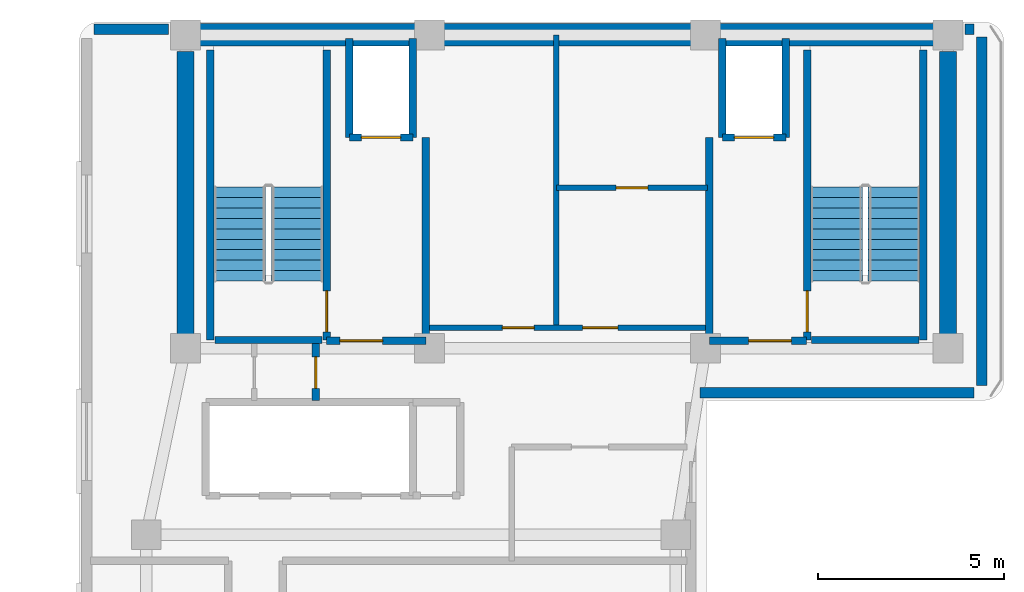
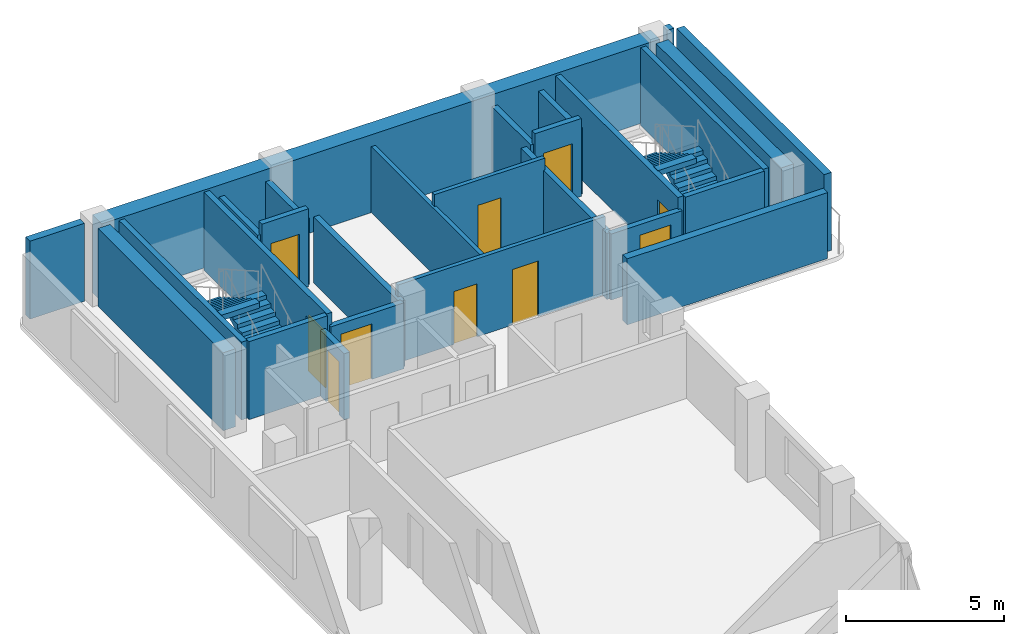
# One storey, part 3 of 5: 27 walls, 10 doors, 4 stair flights, 10 openings, 2 elements without a shape of their own.
"""IFC4 building model written with IfcOpenShell, lengths in metres."""

import ifcopenshell
import ifcopenshell.guid

model = None  # the IFC model being written
_history = None  # IfcOwnerHistory: only IFC2X3 demands one
_inside = {}  # id of a spatial element -> (the spatial element, [elements in it])
_under = {}  # id of a project, library or spatial element -> (it, [spatial elements below it])
_declared = {}  # id of a project -> (the project, [libraries it declares])
_typed = {}  # id of a type object -> (the type object, [elements of that type])
_made_of = {}  # id of a material, layer set ... -> (it, [elements and type objects made of it])


def new_model(schema):
    """Start an empty IFC model of exactly this schema.

    Asked for "IFC4X3", IfcOpenShell would pick the latest addendum, in which some entities
    have other attributes; the version numbers below select the first issue.
    IFC2X3 requires an IfcOwnerHistory on every rooted entity: one is made here for all.
    """
    global model, _history
    if schema == "IFC4X3":
        model = ifcopenshell.file(schema_version=(4, 3, 0, 0))
    else:
        model = ifcopenshell.file(schema=schema)
    _inside.clear()
    _under.clear()
    _declared.clear()
    _typed.clear()
    _made_of.clear()
    _history = None
    if model.schema == "IFC2X3":
        org = make("IfcOrganization", Name="unknown")
        user = make(
            "IfcPersonAndOrganization",
            ThePerson=make("IfcPerson", FamilyName="unknown"),
            TheOrganization=org,
        )
        app = make(
            "IfcApplication",
            ApplicationDeveloper=org,
            Version="unknown",
            ApplicationFullName="unknown",
            ApplicationIdentifier="unknown",
        )
        _history = make(
            "IfcOwnerHistory",
            OwningUser=user,
            OwningApplication=app,
            ChangeAction="ADDED",
            CreationDate=0,
        )
    return model


def make(cls, **values):
    """One entity of the class cls with the attributes given. An attribute that is None is left unset."""
    return model.create_entity(
        cls, **{name: value for name, value in values.items() if value is not None}
    )


def rooted(cls, **values):
    """An entity with a GlobalId (a new one), such as an element, a storey or a relation."""
    return make(cls, GlobalId=ifcopenshell.guid.new(), OwnerHistory=_history, **values)


def si_unit(unit_type, name, prefix=None):
    """IfcSIUnit, for example si_unit("LENGTHUNIT", "METRE", prefix="MILLI")."""
    return make("IfcSIUnit", UnitType=unit_type, Prefix=prefix, Name=name)


def assignment(units):
    """IfcUnitAssignment: the units of a project."""
    return None if units is None else make("IfcUnitAssignment", Units=units)


def point(xyz):
    """IfcCartesianPoint."""
    return None if xyz is None else make("IfcCartesianPoint", Coordinates=xyz)


def direction(xyz):
    """IfcDirection."""
    return None if xyz is None else make("IfcDirection", DirectionRatios=xyz)


def frame(location, z_axis=None, x_axis=None):
    """IfcAxis2Placement3D, a coordinate frame: its origin and axes. An axis left out is left unset."""
    return make(
        "IfcAxis2Placement3D",
        Location=point(location),
        Axis=direction(z_axis),
        RefDirection=direction(x_axis),
    )


def frame_2d(location, x_axis=None):
    """IfcAxis2Placement2D, a coordinate frame in the plane: its origin and x axis."""
    return make(
        "IfcAxis2Placement2D", Location=point(location), RefDirection=direction(x_axis)
    )


def origin():
    """The frame at (0, 0, 0) with its axes left unset."""
    return frame((0.0, 0.0, 0.0))


def place(relative_to, where):
    """IfcLocalPlacement: puts the frame where relative to a parent placement (None: the world)."""
    return make(
        "IfcLocalPlacement", PlacementRelTo=relative_to, RelativePlacement=where
    )


def context(
    kind, dimensions, precision=None, world=None, true_north=None, identifier=None
):
    """IfcGeometricRepresentationContext, for example the 3D "Model" context."""
    return make(
        "IfcGeometricRepresentationContext",
        ContextIdentifier=identifier,
        ContextType=kind,
        CoordinateSpaceDimension=dimensions,
        Precision=precision,
        WorldCoordinateSystem=world,
        TrueNorth=true_north,
    )


def subcontext(parent, identifier, kind, view, scale=None):
    """IfcGeometricRepresentationSubContext, for example "Body" below "Model"."""
    return make(
        "IfcGeometricRepresentationSubContext",
        ContextIdentifier=identifier,
        ContextType=kind,
        ParentContext=parent,
        TargetScale=scale,
        TargetView=view,
    )


def project(units=None, contexts=None):
    """IfcProject with its units and contexts."""
    return rooted(
        "IfcProject",
        Name="project",
        RepresentationContexts=contexts,
        UnitsInContext=assignment(units),
    )


def spatial(cls, under=None, at=None, **own):
    """A site, building, storey or space (cls), placed at a placement, below another one or the project."""
    s = rooted(cls, ObjectPlacement=at, **own)
    if under is not None:
        _under.setdefault(under.id(), (under, []))[1].append(s)
    return s


def polyline(points):
    """IfcPolyline through the points."""
    return make("IfcPolyline", Points=[point(p) for p in points])


def profile(cls, at=None, kind="AREA", **sizes):
    """A parametric profile (cls). Its sizes go by their IFC names, for example OverallWidth=200.0."""
    return make(cls, ProfileType=kind, Position=at, **sizes)


def rectangle(**sizes):
    """IfcRectangleProfileDef."""
    return profile("IfcRectangleProfileDef", **sizes)


def outline(outer, holes=None, kind="AREA"):
    """IfcArbitraryClosedProfileDef: a profile drawn as a closed curve; with holes, ...WithVoids."""
    if holes is None:
        return make("IfcArbitraryClosedProfileDef", ProfileType=kind, OuterCurve=outer)
    return make(
        "IfcArbitraryProfileDefWithVoids",
        ProfileType=kind,
        OuterCurve=outer,
        InnerCurves=holes,
    )


def extrude(swept, where, along, depth):
    """IfcExtrudedAreaSolid: the profile swept, set in the frame where, extruded along a direction by depth."""
    return make(
        "IfcExtrudedAreaSolid",
        SweptArea=swept,
        Position=where,
        ExtrudedDirection=direction(along),
        Depth=depth,
    )


def shape(context_of_items, identifier, shape_type, items):
    """IfcShapeRepresentation: the items that make up one representation, for example the "Body"."""
    return make(
        "IfcShapeRepresentation",
        ContextOfItems=context_of_items,
        RepresentationIdentifier=identifier,
        RepresentationType=shape_type,
        Items=items,
    )


def material(Name=None, Category=None):
    """IfcMaterial."""
    return make("IfcMaterial", Name=Name, Category=Category)


def layer(
    of_material, thickness, ventilated=None, Name=None, Category=None, Priority=None
):
    """IfcMaterialLayer: one layer of a wall or slab, of a material (None: an air gap)."""
    return make(
        "IfcMaterialLayer",
        Material=of_material,
        LayerThickness=thickness,
        IsVentilated=ventilated,
        Name=Name,
        Category=Category,
        Priority=Priority,
    )


def layer_set(layers, Name=None):
    """IfcMaterialLayerSet."""
    return make("IfcMaterialLayerSet", MaterialLayers=layers, LayerSetName=Name)


def made_of(thing, what):
    """Note that an element or type object is made of a material, layer set ...; save() writes the relation."""
    if what is not None:
        _made_of.setdefault(what.id(), (what, []))[1].append(thing)
    return thing


def type_object(cls, material=None, **own):
    """A type object (cls), such as IfcWallType, which elements share."""
    return made_of(rooted(cls, **own), material)


def element(
    cls,
    number,
    at=None,
    inside=None,
    cuts=None,
    type_object=None,
    material=None,
    context=None,
    identifier="Body",
    shape_type=None,
    held_by="IfcProductDefinitionShape",
    body=None,
    shapes=None,
    **own,
):
    """One element of the class cls, such as IfcWall. Its Tag is "e" and its number.

    at: its placement. inside: the storey or other place that contains it. cuts: it is an
    opening in that element (IfcRelVoidsElement). A single representation is given by context,
    identifier, shape_type and body (its items); several are given by shapes. held_by: the class
    of the entity that holds the representations. save() writes the other relations.
    """
    e = rooted(cls, Tag="e%d" % number, ObjectPlacement=at, **own)
    if body is not None:
        shapes = [shape(context, identifier, shape_type, body)]
    if shapes is not None:
        e.Representation = make(held_by, Representations=shapes)
    if inside is not None:
        _inside.setdefault(inside.id(), (inside, []))[1].append(e)
    if cuts is not None:
        rooted(
            "IfcRelVoidsElement", RelatingBuildingElement=cuts, RelatedOpeningElement=e
        )
    if type_object is not None:
        _typed.setdefault(type_object.id(), (type_object, []))[1].append(e)
    return made_of(e, material)


def fill(opening, filler):
    """IfcRelFillsElement: the door or window that sits in an opening."""
    return rooted(
        "IfcRelFillsElement",
        RelatingOpeningElement=opening,
        RelatedBuildingElement=filler,
    )


def aggregate(whole, parts):
    """IfcRelAggregates: a whole, such as a stair, and the parts it consists of."""
    return rooted("IfcRelAggregates", RelatingObject=whole, RelatedObjects=parts)


def save(model, path):
    """Write the relations noted so far, then the file.

    IfcRelAggregates (storeys below a building ...), IfcRelContainedInSpatialStructure (elements
    in a storey), IfcRelDefinesByType, IfcRelAssociatesMaterial and IfcRelDeclares: one each for
    every whole, place, type object, material and project.
    """
    for whole, parts in _under.values():
        aggregate(whole, parts)
    for where, things in _inside.values():
        rooted(
            "IfcRelContainedInSpatialStructure",
            RelatedElements=things,
            RelatingStructure=where,
        )
    for kind, things in _typed.values():
        rooted("IfcRelDefinesByType", RelatedObjects=things, RelatingType=kind)
    for what, things in _made_of.values():
        rooted("IfcRelAssociatesMaterial", RelatedObjects=things, RelatingMaterial=what)
    for by, libraries in _declared.values():
        rooted("IfcRelDeclares", RelatingContext=by, RelatedDefinitions=libraries)
    model.write(path)


model = new_model("IFC4")

# Units and contexts
model_context = context("Model", 3, precision=1e-05, world=origin(), true_north=direction((0.0, 1.0)))
body_context = subcontext(model_context, "Body", "Model", "MODEL_VIEW")
ifc_project = project(units=[si_unit("LENGTHUNIT", "METRE"), si_unit("AREAUNIT", "SQUARE_METRE"), si_unit("VOLUMEUNIT", "CUBIC_METRE"), si_unit("PLANEANGLEUNIT", "RADIAN"), si_unit("MASSUNIT", "GRAM", prefix="KILO")], contexts=[model_context])

# Site, building, storey
site_placement = place(None, origin())
site = spatial("IfcSite", under=ifc_project, at=site_placement, CompositionType="ELEMENT")
building_placement = place(site_placement, origin())
building = spatial("IfcBuilding", under=site, at=building_placement, Name="Kuzgunbayir Cultural Tower", CompositionType="ELEMENT")
storey_placement = place(building_placement, frame((0.0, 0.0, 231.199951171875)))
storey = spatial("IfcBuildingStorey", under=building, at=storey_placement, Name="L68", CompositionType="ELEMENT", Elevation=231.199951171875)

# Walls
ifc_material_1 = material(Name="Concrete C50/60", Category="concrete")
ifc_layer_1 = layer(ifc_material_1, 0.449951171875)
ifc_layer_set_1 = layer_set([ifc_layer_1], Name="Concrete C50/60")
wall_type_1 = type_object("IfcWallType", Name="WAL-CORE-450", PredefinedType="SHEAR", material=ifc_layer_set_1)
for number, where, z_axis, x_axis, name in (
    (1, (6.449951171875, 33.800048828125, 0.0), (0.0, 0.0, 1.0), (0.0, 1.0, 0.0), "L68 T1 Core West Shear Wall"),
    (2, (26.89990234375, 33.800048828125, 0.0), (0.0, 0.0, 1.0), (0.0, 1.0, 0.0), "L68 T1 Core East Shear Wall"),
):
    element("IfcWall", number, at=place(storey_placement, frame(where, z_axis=z_axis, x_axis=x_axis)), inside=storey, type_object=wall_type_1, Name=name, PredefinedType="SHEAR", context=body_context, shape_type="SweptSolid", body=[
        extrude(rectangle(XDim=7.949951171875, YDim=0.449951171875, at=frame_2d((3.97509765625, 0.0))), origin(), (0.0, 0.0, 1.0), 3.02001953125),
    ])
ifc_material_2 = material(Name="Concrete C60/75", Category="concrete")
ifc_layer_2 = layer(ifc_material_2, 0.60009765625)
ifc_layer_set_2 = layer_set([ifc_layer_2], Name="Concrete C60/75")
wall_type_2 = type_object("IfcWallType", Name="WAL-CORE-600", PredefinedType="SHEAR", material=ifc_layer_set_2)
wall_1_placement = place(storey_placement, frame((6.449951171875, 42.199951171875, 0.0), z_axis=(0.0, 0.0, 1.0), x_axis=(1.0, 0.0, 0.0)))
element("IfcWall", 3, at=wall_1_placement, inside=storey, type_object=wall_type_2, Name="L68 T1 Core North Shear Wall", PredefinedType="SHEAR", context=body_context, shape_type="SweptSolid", body=[
    extrude(rectangle(XDim=20.449951171875, YDim=0.60009765625, at=frame_2d((10.22509765625, 0.0))), origin(), (0.0, 0.0, 1.0), 3.02001953125),
])
ifc_material_3 = material(Name="Anatolian Cream Limestone", Category="masonry")
ifc_layer_3 = layer(ifc_material_3, 0.280029296875)
ifc_layer_set_3 = layer_set([ifc_layer_3], Name="Anatolian Cream Limestone")
wall_type_3 = type_object("IfcWallType", Name="WAL-EXT-STONE-280", PredefinedType="STANDARD", material=ifc_layer_set_3)
wall_2_placement = place(storey_placement, frame((27.60009765625, 42.35009765625, 0.0), z_axis=(0.0, 0.0, 1.0), x_axis=(-1.0, 0.0, 0.0)))
element("IfcWall", 4, at=wall_2_placement, inside=storey, type_object=wall_type_3, Name="L68 North Wing B Limestone Wall", PredefinedType="STANDARD", context=body_context, shape_type="SweptSolid", body=[
    extrude(rectangle(XDim=0.25, YDim=0.280029296875, at=frame_2d((0.125, 0.0))), origin(), (0.0, 0.0, 1.0), 3.02001953125),
])
wall_3_placement = place(storey_placement, frame((6.0, 42.35009765625, 0.0), z_axis=(0.0, 0.0, 1.0), x_axis=(-1.0, 0.0, 0.0)))
element("IfcWall", 5, at=wall_3_placement, inside=storey, type_object=wall_type_3, Name="L68 Core North-West Spandrel Link", PredefinedType="STANDARD", context=body_context, shape_type="SweptSolid", body=[
    extrude(rectangle(XDim=2.0, YDim=0.280029296875, at=frame_2d((1.0, 0.0))), origin(), (0.0, 0.0, 1.0), 3.02001953125),
])
wall_4_placement = place(storey_placement, frame((27.800048828125, 32.800048828125, 0.0), z_axis=(0.0, 0.0, 1.0), x_axis=(0.0, 1.0, 0.0)))
element("IfcWall", 6, at=wall_4_placement, inside=storey, type_object=wall_type_3, Name="L68 Rear Core East Limestone Wall", PredefinedType="STANDARD", context=body_context, shape_type="SweptSolid", body=[
    extrude(rectangle(XDim=9.349853515625, YDim=0.280029296875, at=frame_2d((4.6748046875, 0.0))), origin(), (0.0, 0.0, 1.0), 3.02001953125),
])
wall_5_placement = place(storey_placement, frame((20.25, 32.60009765625, 0.0), z_axis=(0.0, 0.0, 1.0), x_axis=(1.0, 0.0, 0.0)))
element("IfcWall", 7, at=wall_5_placement, inside=storey, type_object=wall_type_3, Name="L68 Core South Soffit Wall", PredefinedType="STANDARD", context=body_context, shape_type="SweptSolid", body=[
    extrude(rectangle(XDim=7.35009765625, YDim=0.280029296875, at=frame_2d((3.675048828125, 0.0))), origin(), (0.0, 0.0, 1.0), 2.56005859375),
])

# Wall, openings, doors
ifc_material_4 = material(Name="Acoustic Double-Stud Drywall", Category="gypsum")
ifc_layer_4 = layer(ifc_material_4, 0.14990234375)
ifc_layer_set_4 = layer_set([ifc_layer_4], Name="Acoustic Double-Stud Drywall")
wall_type_4 = type_object("IfcWallType", Name="WAL-PART-ACOUSTIC-150", PredefinedType="PARTITIONING", material=ifc_layer_set_4)
wall_6_placement = place(storey_placement, frame((12.89990234375, 34.35009765625, 0.0), z_axis=(0.0, 0.0, 1.0), x_axis=(1.0, 0.0, 0.0)))
wall_6 = element("IfcWall", 8, at=wall_6_placement, inside=storey, type_object=wall_type_4, Name="L68 Sky Core South Wall", PredefinedType="PARTITIONING", context=body_context, shape_type="SweptSolid", body=[
    extrude(rectangle(XDim=7.60009765625, YDim=0.14990234375, at=frame_2d((3.800048828125, 0.0))), origin(), (0.0, 0.0, 1.0), 3.02001953125),
])
opening_1_placement = place(wall_6_placement, frame((2.050048828125, 0.0, 0.0)))
opening_1 = element("IfcOpeningElement", 9, at=opening_1_placement, cuts=wall_6, Name="Opening DC-85", PredefinedType="OPENING", context=body_context, shape_type="SweptSolid", body=[
    extrude(rectangle(XDim=0.85009765625, YDim=2.050048828125, at=frame_2d((0.425048828125, 1.02490234375))), frame((0.0, 0.0849609375, 0.0), z_axis=(0.0, -1.0, 0.0), x_axis=(1.0, 0.0, 0.0)), (0.0, 0.0, 1.0), 0.169921875),
])
opening_2_placement = place(wall_6_placement, frame((4.199951171875, 0.0, 0.0)))
opening_2 = element("IfcOpeningElement", 10, at=opening_2_placement, cuts=wall_6, Name="Opening DC-95", PredefinedType="OPENING", context=body_context, shape_type="SweptSolid", body=[
    extrude(rectangle(XDim=0.949951171875, YDim=2.14990234375, at=frame_2d((0.47509765625, 1.074951171875))), frame((0.0, 0.0849609375, 0.0), z_axis=(0.0, -1.0, 0.0), x_axis=(1.0, 0.0, 0.0)), (0.0, 0.0, 1.0), 0.169921875),
])
ifc_material_5 = material(Name="Fire-Rated Veneered Oak Leaf", Category="wood")
door_type_1 = type_object("IfcDoorType", Name="DR-CORE-85", OperationType="NOTDEFINED", PredefinedType="DOOR", material=ifc_material_5)
door_1_placement = place(opening_1_placement, origin())
door_1 = element("IfcDoor", 11, at=door_1_placement, inside=storey, type_object=door_type_1, Name="L68 Study Pod Door", OperationType="SINGLE_SWING_RIGHT", OverallHeight=2.050048828125, OverallWidth=0.85009765625, PredefinedType="DOOR", context=body_context, shape_type="SweptSolid", body=[
    extrude(rectangle(XDim=0.85009765625, YDim=2.050048828125, at=frame_2d((0.425048828125, 1.02490234375))), frame((0.0, 0.02490234375, 0.0), z_axis=(0.0, -1.0, 0.0), x_axis=(1.0, 0.0, 0.0)), (0.0, 0.0, 1.0), 0.050048828125),
])
fill(opening_1, door_1)
door_type_2 = type_object("IfcDoorType", Name="DR-CORE-95", OperationType="NOTDEFINED", PredefinedType="DOOR", material=ifc_material_5)
door_2_placement = place(opening_2_placement, origin())
door_2 = element("IfcDoor", 12, at=door_2_placement, inside=storey, type_object=door_type_2, Name="L68 Tea Salon Door", OperationType="SINGLE_SWING_LEFT", OverallHeight=2.14990234375, OverallWidth=0.949951171875, PredefinedType="DOOR", context=body_context, shape_type="SweptSolid", body=[
    extrude(rectangle(XDim=0.949951171875, YDim=2.14990234375, at=frame_2d((0.47509765625, 1.074951171875))), frame((0.0, 0.02490234375, 0.0), z_axis=(0.0, -1.0, 0.0), x_axis=(1.0, 0.0, 0.0)), (0.0, 0.0, 1.0), 0.050048828125),
])
fill(opening_2, door_2)

# Wall
wall_7_placement = place(storey_placement, frame((16.39990234375, 34.35009765625, 0.0), z_axis=(0.0, 0.0, 1.0), x_axis=(0.0, 1.0, 0.0)))
element("IfcWall", 13, at=wall_7_placement, inside=storey, type_object=wall_type_4, Name="L68 Sky Core Tri-Wall 1", PredefinedType="PARTITIONING", context=body_context, shape_type="SweptSolid", body=[
    extrude(rectangle(XDim=7.849853515625, YDim=0.14990234375, at=frame_2d((3.9248046875, 0.0))), origin(), (0.0, 0.0, 1.0), 2.56005859375),
])

# Wall, opening, door
wall_8_placement = place(storey_placement, frame((16.39990234375, 38.10009765625, 0.0), z_axis=(0.0, 0.0, 1.0), x_axis=(1.0, 0.0, 0.0)))
wall_8 = element("IfcWall", 14, at=wall_8_placement, inside=storey, type_object=wall_type_4, Name="L68 Sky Core Mid Divider", PredefinedType="PARTITIONING", context=body_context, shape_type="SweptSolid", body=[
    extrude(rectangle(XDim=4.050048828125, YDim=0.14990234375, at=frame_2d((2.02490234375, 0.0))), origin(), (0.0, 0.0, 1.0), 3.02001953125),
])
opening_3_placement = place(wall_8_placement, frame((1.60009765625, 0.0, 0.0)))
opening_3 = element("IfcOpeningElement", 15, at=opening_3_placement, cuts=wall_8, Name="Opening DC-85", PredefinedType="OPENING", context=body_context, shape_type="SweptSolid", body=[
    extrude(rectangle(XDim=0.85009765625, YDim=2.050048828125, at=frame_2d((0.425048828125, 1.02490234375))), frame((0.0, 0.0849609375, 0.0), z_axis=(0.0, -1.0, 0.0), x_axis=(1.0, 0.0, 0.0)), (0.0, 0.0, 1.0), 0.169921875),
])
door_3_placement = place(opening_3_placement, origin())
door_3 = element("IfcDoor", 16, at=door_3_placement, inside=storey, type_object=door_type_1, Name="L68 Meditation Room Door", OperationType="SINGLE_SWING_RIGHT", OverallHeight=2.050048828125, OverallWidth=0.85009765625, PredefinedType="DOOR", context=body_context, shape_type="SweptSolid", body=[
    extrude(rectangle(XDim=0.85009765625, YDim=2.050048828125, at=frame_2d((0.425048828125, 1.02490234375))), frame((0.0, 0.02490234375, 0.0), z_axis=(0.0, -1.0, 0.0), x_axis=(1.0, 0.0, 0.0)), (0.0, 0.0, 1.0), 0.050048828125),
])
fill(opening_3, door_3)

# Wall
ifc_material_6 = material(Name="Aerated Concrete Blockwork", Category="masonry")
ifc_layer_5 = layer(ifc_material_6, 0.199951171875)
ifc_layer_set_5 = layer_set([ifc_layer_5], Name="Aerated Concrete Blockwork")
wall_type_5 = type_object("IfcWallType", Name="WAL-PART-FIRE-200", PredefinedType="PARTITIONING", material=ifc_layer_set_5)
wall_9_placement = place(storey_placement, frame((12.89990234375, 34.0, 0.0), z_axis=(0.0, 0.0, 1.0), x_axis=(0.0, 1.0, 0.0)))
element("IfcWall", 17, at=wall_9_placement, inside=storey, type_object=wall_type_5, Name="L68 FFL-1 Lobby East Fire Wall", PredefinedType="PARTITIONING", context=body_context, shape_type="SweptSolid", body=[
    extrude(rectangle(XDim=5.449951171875, YDim=0.199951171875, at=frame_2d((2.72509765625, 0.0))), origin(), (0.0, 0.0, 1.0), 2.56005859375),
])

# Wall, opening, door
wall_10_placement = place(storey_placement, frame((10.239990234375, 34.0, 0.0), z_axis=(0.0, 0.0, 1.0), x_axis=(1.0, 0.0, 0.0)))
wall_10 = element("IfcWall", 18, at=wall_10_placement, inside=storey, type_object=wall_type_5, Name="L68 FFL-1 Lobby South Fire Wall", PredefinedType="PARTITIONING", context=body_context, shape_type="SweptSolid", body=[
    extrude(rectangle(XDim=2.659912109375, YDim=0.199951171875, at=frame_2d((1.330078125, 0.0))), origin(), (0.0, 0.0, 1.0), 2.56005859375),
])
opening_4_placement = place(wall_10_placement, frame((0.35009765625, 0.0, 0.0)))
opening_4 = element("IfcOpeningElement", 19, at=opening_4_placement, cuts=wall_10, Name="Opening DR-FFL-90", PredefinedType="OPENING", context=body_context, shape_type="SweptSolid", body=[
    extrude(rectangle(XDim=1.14990234375, YDim=2.14990234375, at=frame_2d((0.574951171875, 1.074951171875))), frame((0.0, 0.10986328125, 0.0), z_axis=(0.0, -1.0, 0.0), x_axis=(1.0, 0.0, 0.0)), (0.0, 0.0, 1.0), 0.219970703125),
])
ifc_material_7 = material(Name="Steel S355J2", Category="steel")
door_type_3 = type_object("IfcDoorType", Name="DR-FFL-90", OperationType="NOTDEFINED", PredefinedType="DOOR", material=ifc_material_7)
door_4_placement = place(opening_4_placement, origin())
door_4 = element("IfcDoor", 20, at=door_4_placement, inside=storey, type_object=door_type_3, Name="L68 Firefighting Lobby 1 Door", OperationType="SINGLE_SWING_LEFT", OverallHeight=2.14990234375, OverallWidth=1.14990234375, PredefinedType="DOOR", context=body_context, shape_type="SweptSolid", body=[
    extrude(rectangle(XDim=1.14990234375, YDim=2.14990234375, at=frame_2d((0.574951171875, 1.074951171875))), frame((0.0, 0.02490234375, 0.0), z_axis=(0.0, -1.0, 0.0), x_axis=(1.0, 0.0, 0.0)), (0.0, 0.0, 1.0), 0.050048828125),
])
fill(opening_4, door_4)

# Wall
wall_11_placement = place(storey_placement, frame((20.5, 34.0, 0.0), z_axis=(0.0, 0.0, 1.0), x_axis=(0.0, 1.0, 0.0)))
element("IfcWall", 21, at=wall_11_placement, inside=storey, type_object=wall_type_5, Name="L68 FFL-2 Lobby West Fire Wall", PredefinedType="PARTITIONING", context=body_context, shape_type="SweptSolid", body=[
    extrude(rectangle(XDim=5.449951171875, YDim=0.199951171875, at=frame_2d((2.72509765625, 0.0))), origin(), (0.0, 0.0, 1.0), 2.56005859375),
])

# Wall, opening, door
wall_12_placement = place(storey_placement, frame((20.5, 34.0, 0.0), z_axis=(0.0, 0.0, 1.0), x_axis=(1.0, 0.0, 0.0)))
wall_12 = element("IfcWall", 22, at=wall_12_placement, inside=storey, type_object=wall_type_5, Name="L68 FFL-2 Lobby South Fire Wall", PredefinedType="PARTITIONING", context=body_context, shape_type="SweptSolid", body=[
    extrude(rectangle(XDim=2.60009765625, YDim=0.199951171875, at=frame_2d((1.300048828125, 0.0))), origin(), (0.0, 0.0, 1.0), 2.56005859375),
])
opening_5_placement = place(wall_12_placement, frame((1.050048828125, 0.0, 0.0)))
opening_5 = element("IfcOpeningElement", 23, at=opening_5_placement, cuts=wall_12, Name="Opening DR-FFL-90", PredefinedType="OPENING", context=body_context, shape_type="SweptSolid", body=[
    extrude(rectangle(XDim=1.14990234375, YDim=2.14990234375, at=frame_2d((0.574951171875, 1.074951171875))), frame((0.0, 0.10986328125, 0.0), z_axis=(0.0, -1.0, 0.0), x_axis=(1.0, 0.0, 0.0)), (0.0, 0.0, 1.0), 0.219970703125),
])
door_5_placement = place(opening_5_placement, origin())
door_5 = element("IfcDoor", 24, at=door_5_placement, inside=storey, type_object=door_type_3, Name="L68 Firefighting Lobby 2 Door", OperationType="SINGLE_SWING_RIGHT", OverallHeight=2.14990234375, OverallWidth=1.14990234375, PredefinedType="DOOR", context=body_context, shape_type="SweptSolid", body=[
    extrude(rectangle(XDim=1.14990234375, YDim=2.14990234375, at=frame_2d((0.574951171875, 1.074951171875))), frame((0.0, 0.02490234375, 0.0), z_axis=(0.0, -1.0, 0.0), x_axis=(1.0, 0.0, 0.0)), (0.0, 0.0, 1.0), 0.050048828125),
])
fill(opening_5, door_5)

wall_13_placement = place(storey_placement, frame((9.949951171875, 32.39990234375, 0.0), z_axis=(0.0, 0.0, 1.0), x_axis=(0.0, 1.0, 0.0)))
wall_13 = element("IfcWall", 25, at=wall_13_placement, inside=storey, type_object=wall_type_5, Name="L68 West Core Service Closet Wall", PredefinedType="PARTITIONING", context=body_context, shape_type="SweptSolid", body=[
    extrude(rectangle(XDim=1.52001953125, YDim=0.199951171875, at=frame_2d((0.760009765625, 0.0))), origin(), (0.0, 0.0, 1.0), 2.56005859375),
])
opening_6_placement = place(wall_13_placement, frame((0.320068359375, 0.0, 0.0)))
opening_6 = element("IfcOpeningElement", 26, at=opening_6_placement, cuts=wall_13, Name="Opening DR-RSR-60", PredefinedType="OPENING", context=body_context, shape_type="SweptSolid", body=[
    extrude(rectangle(XDim=0.85009765625, YDim=2.050048828125, at=frame_2d((0.425048828125, 1.02490234375))), frame((0.0, 0.10986328125, 0.0), z_axis=(0.0, -1.0, 0.0), x_axis=(1.0, 0.0, 0.0)), (0.0, 0.0, 1.0), 0.219970703125),
])
ifc_material_8 = material(Name="Steel Access Leaf", Category="steel")
door_type_4 = type_object("IfcDoorType", Name="DR-RISER-60", OperationType="NOTDEFINED", PredefinedType="DOOR", material=ifc_material_8)
door_6_placement = place(opening_6_placement, origin())
door_6 = element("IfcDoor", 27, at=door_6_placement, inside=storey, type_object=door_type_4, Name="L68 Cleaner Store Door", OperationType="SINGLE_SWING_LEFT", OverallHeight=2.050048828125, OverallWidth=0.85009765625, PredefinedType="DOOR", context=body_context, shape_type="SweptSolid", body=[
    extrude(rectangle(XDim=0.85009765625, YDim=2.050048828125, at=frame_2d((0.425048828125, 1.02490234375))), frame((0.0, 0.02490234375, 0.0), z_axis=(0.0, -1.0, 0.0), x_axis=(1.0, 0.0, 0.0)), (0.0, 0.0, 1.0), 0.050048828125),
])
fill(opening_6, door_6)

ifc_material_9 = material(Name="Concrete C40/50", Category="concrete")
ifc_layer_6 = layer(ifc_material_9, 0.199951171875)
ifc_layer_set_6 = layer_set([ifc_layer_6], Name="Concrete C40/50")
wall_type_6 = type_object("IfcWallType", Name="WAL-SHAFT-200", PredefinedType="MOVABLE", material=ifc_layer_set_6)
wall_14_placement = place(storey_placement, frame((10.85009765625, 39.449951171875, 0.0), z_axis=(0.0, 0.0, 1.0), x_axis=(1.0, 0.0, 0.0)))
wall_14 = element("IfcWall", 28, at=wall_14_placement, inside=storey, type_object=wall_type_6, Name="L68 FFL-1 Lift Front Wall", PredefinedType="MOVABLE", context=body_context, shape_type="SweptSolid", body=[
    extrude(rectangle(XDim=1.699951171875, YDim=0.199951171875, at=frame_2d((0.85009765625, 0.0))), origin(), (0.0, 0.0, 1.0), 3.02001953125),
])
opening_7_placement = place(wall_14_placement, frame((0.320068359375, 0.0, 0.0)))
opening_7 = element("IfcOpeningElement", 29, at=opening_7_placement, cuts=wall_14, Name="Opening LD", PredefinedType="OPENING", context=body_context, shape_type="SweptSolid", body=[
    extrude(rectangle(XDim=1.050048828125, YDim=2.14990234375, at=frame_2d((0.52490234375, 1.074951171875))), frame((0.0, 0.10986328125, 0.0), z_axis=(0.0, -1.0, 0.0), x_axis=(1.0, 0.0, 0.0)), (0.0, 0.0, 1.0), 0.219970703125),
])
ifc_material_10 = material(Name="Brushed Stainless Steel", Category="steel")
door_type_5 = type_object("IfcDoorType", Name="DR-LIFT-LANDING", OperationType="SLIDING_TO_LEFT", PredefinedType="DOOR", material=ifc_material_10)
door_7_placement = place(opening_7_placement, origin())
door_7 = element("IfcDoor", 30, at=door_7_placement, inside=storey, type_object=door_type_5, Name="L68 Lift FFL-1 Landing Door", OperationType="SLIDING_TO_LEFT", OverallHeight=2.14990234375, OverallWidth=1.050048828125, PredefinedType="DOOR", context=body_context, shape_type="SweptSolid", body=[
    extrude(rectangle(XDim=1.050048828125, YDim=2.14990234375, at=frame_2d((0.52490234375, 1.074951171875))), frame((0.0, 0.02490234375, 0.0), z_axis=(0.0, -1.0, 0.0), x_axis=(1.0, 0.0, 0.0)), (0.0, 0.0, 1.0), 0.050048828125),
])
fill(opening_7, door_7)

wall_15_placement = place(storey_placement, frame((20.85009765625, 39.449951171875, 0.0), z_axis=(0.0, 0.0, 1.0), x_axis=(1.0, 0.0, 0.0)))
wall_15 = element("IfcWall", 31, at=wall_15_placement, inside=storey, type_object=wall_type_6, Name="L68 FFL-2 Lift Front Wall", PredefinedType="MOVABLE", context=body_context, shape_type="SweptSolid", body=[
    extrude(rectangle(XDim=1.699951171875, YDim=0.199951171875, at=frame_2d((0.85009765625, 0.0))), origin(), (0.0, 0.0, 1.0), 3.02001953125),
])
opening_8_placement = place(wall_15_placement, frame((0.320068359375, 0.0, 0.0)))
opening_8 = element("IfcOpeningElement", 32, at=opening_8_placement, cuts=wall_15, Name="Opening LD", PredefinedType="OPENING", context=body_context, shape_type="SweptSolid", body=[
    extrude(rectangle(XDim=1.050048828125, YDim=2.14990234375, at=frame_2d((0.52490234375, 1.074951171875))), frame((0.0, 0.10986328125, 0.0), z_axis=(0.0, -1.0, 0.0), x_axis=(1.0, 0.0, 0.0)), (0.0, 0.0, 1.0), 0.219970703125),
])
door_8_placement = place(opening_8_placement, origin())
door_8 = element("IfcDoor", 33, at=door_8_placement, inside=storey, type_object=door_type_5, Name="L68 Lift FFL-2 Landing Door", OperationType="SLIDING_TO_LEFT", OverallHeight=2.14990234375, OverallWidth=1.050048828125, PredefinedType="DOOR", context=body_context, shape_type="SweptSolid", body=[
    extrude(rectangle(XDim=1.050048828125, YDim=2.14990234375, at=frame_2d((0.52490234375, 1.074951171875))), frame((0.0, 0.02490234375, 0.0), z_axis=(0.0, -1.0, 0.0), x_axis=(1.0, 0.0, 0.0)), (0.0, 0.0, 1.0), 0.050048828125),
])
fill(opening_8, door_8)

# Walls
for number, where, z_axis, x_axis, name in (
    (34, (10.85009765625, 39.449951171875, 0.0), (0.0, 0.0, 1.0), (0.0, 1.0, 0.0), "L68 FFL-1 Shaft West Wall"),
    (35, (12.550048828125, 39.449951171875, 0.0), (0.0, 0.0, 1.0), (0.0, 1.0, 0.0), "L68 FFL-1 Shaft East Wall"),
    (36, (20.85009765625, 39.449951171875, 0.0), (0.0, 0.0, 1.0), (0.0, 1.0, 0.0), "L68 FFL-2 Shaft West Wall"),
    (37, (22.550048828125, 39.449951171875, 0.0), (0.0, 0.0, 1.0), (0.0, 1.0, 0.0), "L68 FFL-2 Shaft East Wall"),
):
    element("IfcWall", number, at=place(storey_placement, frame(where, z_axis=z_axis, x_axis=x_axis)), inside=storey, type_object=wall_type_6, Name=name, PredefinedType="MOVABLE", context=body_context, shape_type="SweptSolid", body=[
        extrude(rectangle(XDim=2.650146484375, YDim=0.199951171875, at=frame_2d((1.3251953125, 0.0))), origin(), (0.0, 0.0, 1.0), 2.56005859375),
    ])
ifc_layer_7 = layer(ifc_material_9, 0.199951171875)
ifc_layer_set_7 = layer_set([ifc_layer_7], Name="Concrete C40/50")
wall_type_7 = type_object("IfcWallType", Name="WAL-STAIR-RC-200", PredefinedType="SHEAR", material=ifc_layer_set_7)
wall_16_placement = place(storey_placement, frame((7.1201171875, 34.02001953125, 0.0), z_axis=(0.0, 0.0, 1.0), x_axis=(0.0, 1.0, 0.0)))
element("IfcWall", 38, at=wall_16_placement, inside=storey, type_object=wall_type_7, Name="L68 Stair ST-1 West Structural Wall", PredefinedType="SHEAR", context=body_context, shape_type="SweptSolid", body=[
    extrude(rectangle(XDim=7.780029296875, YDim=0.199951171875, at=frame_2d((3.89013671875, 0.0))), origin(), (0.0, 0.0, 1.0), 3.02001953125),
])

# Wall, opening, door
wall_17_placement = place(storey_placement, frame((10.239990234375, 34.02001953125, 0.0), z_axis=(0.0, 0.0, 1.0), x_axis=(0.0, 1.0, 0.0)))
wall_17 = element("IfcWall", 39, at=wall_17_placement, inside=storey, type_object=wall_type_7, Name="L68 Stair ST-1 East Structural Wall", PredefinedType="SHEAR", context=body_context, shape_type="SweptSolid", body=[
    extrude(rectangle(XDim=7.780029296875, YDim=0.199951171875, at=frame_2d((3.89013671875, 0.0))), origin(), (0.0, 0.0, 1.0), 3.02001953125),
])
opening_9_placement = place(wall_17_placement, frame((0.219970703125, 0.0, 0.0)))
opening_9 = element("IfcOpeningElement", 40, at=opening_9_placement, cuts=wall_17, Name="Opening DR-STAIR-90", PredefinedType="OPENING", context=body_context, shape_type="SweptSolid", body=[
    extrude(rectangle(XDim=1.10009765625, YDim=2.14990234375, at=frame_2d((0.550048828125, 1.074951171875))), frame((0.0, 0.10986328125, 0.0), z_axis=(0.0, -1.0, 0.0), x_axis=(1.0, 0.0, 0.0)), (0.0, 0.0, 1.0), 0.219970703125),
])
door_type_6 = type_object("IfcDoorType", Name="DR-STAIR-90", OperationType="NOTDEFINED", PredefinedType="DOOR", material=ifc_material_7)
door_9_placement = place(opening_9_placement, origin())
door_9 = element("IfcDoor", 41, at=door_9_placement, inside=storey, type_object=door_type_6, Name="L68 Stair ST-1 Fire Door", OperationType="SINGLE_SWING_RIGHT", OverallHeight=2.14990234375, OverallWidth=1.10009765625, PredefinedType="DOOR", context=body_context, shape_type="SweptSolid", body=[
    extrude(rectangle(XDim=1.10009765625, YDim=2.14990234375, at=frame_2d((0.550048828125, 1.074951171875))), frame((0.0, 0.02490234375, 0.0), z_axis=(0.0, -1.0, 0.0), x_axis=(1.0, 0.0, 0.0)), (0.0, 0.0, 1.0), 0.050048828125),
])
fill(opening_9, door_9)

# Wall
wall_18_placement = place(storey_placement, frame((7.239990234375, 34.02001953125, 0.0), z_axis=(0.0, 0.0, 1.0), x_axis=(1.0, 0.0, 0.0)))
element("IfcWall", 42, at=wall_18_placement, inside=storey, type_object=wall_type_7, Name="L68 Stair ST-1 South Structural Wall", PredefinedType="SHEAR", context=body_context, shape_type="SweptSolid", body=[
    extrude(rectangle(XDim=2.880126953125, YDim=0.199951171875, at=frame_2d((1.43994140625, 0.0))), origin(), (0.0, 0.0, 1.0), 3.02001953125),
])

# Wall, opening, door
wall_19_placement = place(storey_placement, frame((23.1201171875, 34.02001953125, 0.0), z_axis=(0.0, 0.0, 1.0), x_axis=(0.0, 1.0, 0.0)))
wall_19 = element("IfcWall", 43, at=wall_19_placement, inside=storey, type_object=wall_type_7, Name="L68 Stair ST-2 West Structural Wall", PredefinedType="SHEAR", context=body_context, shape_type="SweptSolid", body=[
    extrude(rectangle(XDim=7.780029296875, YDim=0.199951171875, at=frame_2d((3.89013671875, 0.0))), origin(), (0.0, 0.0, 1.0), 3.02001953125),
])
opening_10_placement = place(wall_19_placement, frame((0.219970703125, 0.0, 0.0)))
opening_10 = element("IfcOpeningElement", 44, at=opening_10_placement, cuts=wall_19, Name="Opening DR-STAIR-90", PredefinedType="OPENING", context=body_context, shape_type="SweptSolid", body=[
    extrude(rectangle(XDim=1.10009765625, YDim=2.14990234375, at=frame_2d((0.550048828125, 1.074951171875))), frame((0.0, 0.10986328125, 0.0), z_axis=(0.0, -1.0, 0.0), x_axis=(1.0, 0.0, 0.0)), (0.0, 0.0, 1.0), 0.219970703125),
])
door_10_placement = place(opening_10_placement, origin())
door_10 = element("IfcDoor", 45, at=door_10_placement, inside=storey, type_object=door_type_6, Name="L68 Stair ST-2 Fire Door", OperationType="SINGLE_SWING_RIGHT", OverallHeight=2.14990234375, OverallWidth=1.10009765625, PredefinedType="DOOR", context=body_context, shape_type="SweptSolid", body=[
    extrude(rectangle(XDim=1.10009765625, YDim=2.14990234375, at=frame_2d((0.550048828125, 1.074951171875))), frame((0.0, 0.02490234375, 0.0), z_axis=(0.0, -1.0, 0.0), x_axis=(1.0, 0.0, 0.0)), (0.0, 0.0, 1.0), 0.050048828125),
])
fill(opening_10, door_10)

# Walls
wall_20_placement = place(storey_placement, frame((26.239990234375, 34.02001953125, 0.0), z_axis=(0.0, 0.0, 1.0), x_axis=(0.0, 1.0, 0.0)))
element("IfcWall", 46, at=wall_20_placement, inside=storey, type_object=wall_type_7, Name="L68 Stair ST-2 East Structural Wall", PredefinedType="SHEAR", context=body_context, shape_type="SweptSolid", body=[
    extrude(rectangle(XDim=7.780029296875, YDim=0.199951171875, at=frame_2d((3.89013671875, 0.0))), origin(), (0.0, 0.0, 1.0), 3.02001953125),
])
wall_21_placement = place(storey_placement, frame((23.239990234375, 34.02001953125, 0.0), z_axis=(0.0, 0.0, 1.0), x_axis=(1.0, 0.0, 0.0)))
element("IfcWall", 47, at=wall_21_placement, inside=storey, type_object=wall_type_7, Name="L68 Stair ST-2 South Structural Wall", PredefinedType="SHEAR", context=body_context, shape_type="SweptSolid", body=[
    extrude(rectangle(XDim=2.880126953125, YDim=0.199951171875, at=frame_2d((1.43994140625, 0.0))), origin(), (0.0, 0.0, 1.0), 3.02001953125),
])

# Stair, stair flights
stair_type = type_object("IfcStairType", Name="STR-EXIT-CORE", PredefinedType="HALF_TURN_STAIR", material=ifc_material_9)
stair_1_placement = place(storey_placement, origin())
stair_1 = element("IfcStair", 48, at=stair_1_placement, inside=storey, type_object=stair_type, Name="L68 ST-1", PredefinedType="HALF_TURN_STAIR")
stair_flight_type = type_object("IfcStairFlightType", Name="STRF-RC-140", PredefinedType="STRAIGHT", material=ifc_material_9)
stair_flight_1_placement = place(storey_placement, frame((9.4599609375, 35.60009765625, 0.0), z_axis=(0.0, 0.0, 1.0), x_axis=(0.0, 1.0, 0.0)))
stair_flight_1 = element("IfcStairFlight", 49, at=stair_flight_1_placement, type_object=stair_flight_type, Name="ST-1 flight 1", NumberOfRisers=10, NumberOfTreads=9, PredefinedType="STRAIGHT", RiserHeight=0.16, TreadLength=0.28, context=body_context, shape_type="SweptSolid", body=[
    extrude(outline(polyline([(0.0, 0.0), (0.0, 0.159912109375), (0.280029296875, 0.159912109375), (0.280029296875, 0.320068359375), (0.56005859375, 0.320068359375), (0.56005859375, 0.47998046875), (0.840087890625, 0.47998046875), (0.840087890625, 0.639892578125), (1.1201171875, 0.639892578125), (1.1201171875, 0.800048828125), (1.39990234375, 0.800048828125), (1.39990234375, 0.9599609375), (1.679931640625, 0.9599609375), (1.679931640625, 1.1201171875), (1.9599609375, 1.1201171875), (1.9599609375, 1.280029296875), (2.239990234375, 1.280029296875), (2.239990234375, 1.43994140625), (2.52001953125, 1.43994140625), (2.52001953125, 1.60009765625), (2.52001953125, 1.232666015625), (0.362548828125, 0.0), (0.0, 0.0)])), frame((0.0, 0.699951171875, 0.0), z_axis=(0.0, -1.0, 0.0), x_axis=(1.0, 0.0, 0.0)), (0.0, 0.0, 1.0), 1.39990234375),
])
stair_flight_2_placement = place(storey_placement, frame((7.89990234375, 38.1201171875, 1.60009765625), z_axis=(0.0, 0.0, 1.0), x_axis=(0.0, -1.0, 0.0)))
stair_flight_2 = element("IfcStairFlight", 50, at=stair_flight_2_placement, type_object=stair_flight_type, Name="ST-1 flight 2", NumberOfRisers=10, NumberOfTreads=9, PredefinedType="STRAIGHT", RiserHeight=0.16, TreadLength=0.28, context=body_context, shape_type="SweptSolid", body=[
    extrude(outline(polyline([(0.0, 0.0), (0.0, 0.159912109375), (0.280029296875, 0.159912109375), (0.280029296875, 0.320068359375), (0.56005859375, 0.320068359375), (0.56005859375, 0.47998046875), (0.840087890625, 0.47998046875), (0.840087890625, 0.639892578125), (1.1201171875, 0.639892578125), (1.1201171875, 0.800048828125), (1.39990234375, 0.800048828125), (1.39990234375, 0.9599609375), (1.679931640625, 0.9599609375), (1.679931640625, 1.1201171875), (1.9599609375, 1.1201171875), (1.9599609375, 1.280029296875), (2.239990234375, 1.280029296875), (2.239990234375, 1.43994140625), (2.52001953125, 1.43994140625), (2.52001953125, 1.60009765625), (2.52001953125, 1.232666015625), (0.362548828125, 0.0), (0.0, 0.0)])), frame((0.0, 0.699951171875, 0.0), z_axis=(0.0, -1.0, 0.0), x_axis=(1.0, 0.0, 0.0)), (0.0, 0.0, 1.0), 1.39990234375),
])
aggregate(stair_1, [stair_flight_1, stair_flight_2])

stair_2_placement = place(storey_placement, origin())
stair_2 = element("IfcStair", 51, at=stair_2_placement, inside=storey, type_object=stair_type, Name="L68 ST-2", PredefinedType="HALF_TURN_STAIR")
stair_flight_3_placement = place(storey_placement, frame((25.4599609375, 35.60009765625, 0.0), z_axis=(0.0, 0.0, 1.0), x_axis=(0.0, 1.0, 0.0)))
stair_flight_3 = element("IfcStairFlight", 52, at=stair_flight_3_placement, type_object=stair_flight_type, Name="ST-2 flight 1", NumberOfRisers=10, NumberOfTreads=9, PredefinedType="STRAIGHT", RiserHeight=0.16, TreadLength=0.28, context=body_context, shape_type="SweptSolid", body=[
    extrude(outline(polyline([(0.0, 0.0), (0.0, 0.159912109375), (0.280029296875, 0.159912109375), (0.280029296875, 0.320068359375), (0.56005859375, 0.320068359375), (0.56005859375, 0.47998046875), (0.840087890625, 0.47998046875), (0.840087890625, 0.639892578125), (1.1201171875, 0.639892578125), (1.1201171875, 0.800048828125), (1.39990234375, 0.800048828125), (1.39990234375, 0.9599609375), (1.679931640625, 0.9599609375), (1.679931640625, 1.1201171875), (1.9599609375, 1.1201171875), (1.9599609375, 1.280029296875), (2.239990234375, 1.280029296875), (2.239990234375, 1.43994140625), (2.52001953125, 1.43994140625), (2.52001953125, 1.60009765625), (2.52001953125, 1.232666015625), (0.362548828125, 0.0), (0.0, 0.0)])), frame((0.0, 0.699951171875, 0.0), z_axis=(0.0, -1.0, 0.0), x_axis=(1.0, 0.0, 0.0)), (0.0, 0.0, 1.0), 1.39990234375),
])
stair_flight_4_placement = place(storey_placement, frame((23.89990234375, 38.1201171875, 1.60009765625), z_axis=(0.0, 0.0, 1.0), x_axis=(0.0, -1.0, 0.0)))
stair_flight_4 = element("IfcStairFlight", 53, at=stair_flight_4_placement, type_object=stair_flight_type, Name="ST-2 flight 2", NumberOfRisers=10, NumberOfTreads=9, PredefinedType="STRAIGHT", RiserHeight=0.16, TreadLength=0.28, context=body_context, shape_type="SweptSolid", body=[
    extrude(outline(polyline([(0.0, 0.0), (0.0, 0.159912109375), (0.280029296875, 0.159912109375), (0.280029296875, 0.320068359375), (0.56005859375, 0.320068359375), (0.56005859375, 0.47998046875), (0.840087890625, 0.47998046875), (0.840087890625, 0.639892578125), (1.1201171875, 0.639892578125), (1.1201171875, 0.800048828125), (1.39990234375, 0.800048828125), (1.39990234375, 0.9599609375), (1.679931640625, 0.9599609375), (1.679931640625, 1.1201171875), (1.9599609375, 1.1201171875), (1.9599609375, 1.280029296875), (2.239990234375, 1.280029296875), (2.239990234375, 1.43994140625), (2.52001953125, 1.43994140625), (2.52001953125, 1.60009765625), (2.52001953125, 1.232666015625), (0.362548828125, 0.0), (0.0, 0.0)])), frame((0.0, 0.699951171875, 0.0), z_axis=(0.0, -1.0, 0.0), x_axis=(1.0, 0.0, 0.0)), (0.0, 0.0, 1.0), 1.39990234375),
])
aggregate(stair_2, [stair_flight_3, stair_flight_4])

save(model, "model.ifc")
